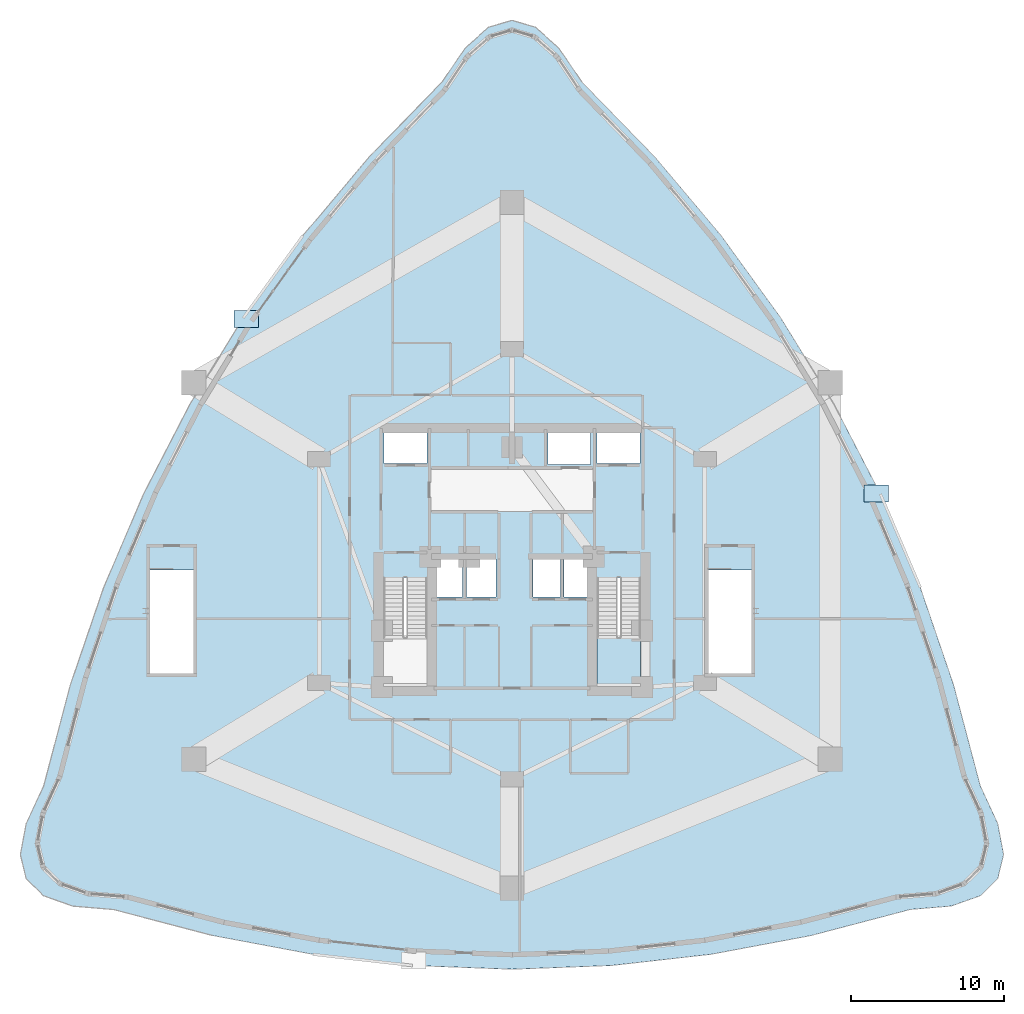
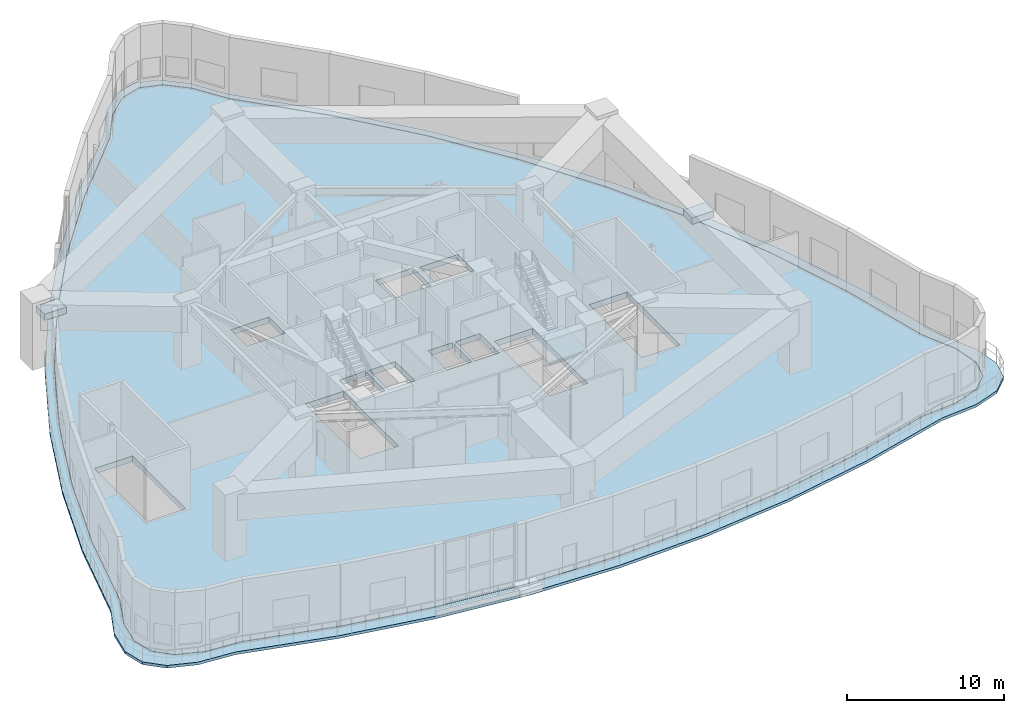
# One storey, part 10 of 19: 5 slabs, 1 element without a shape of its own.
"""IFC4 building model written with IfcOpenShell, lengths in metres."""

from ifc_helpers import new_model, si_unit, direction, frame, origin, place, context, subcontext, project, spatial, polyline, outline, extrude, material, layer, layer_set, type_object, element, aggregate, save


model = new_model("IFC4")

# Units and contexts
model_context = context("Model", 3, precision=1e-05, world=origin(), true_north=direction((0.0, 1.0)))
body_context = subcontext(model_context, "Body", "Model", "MODEL_VIEW")
ifc_project = project(units=[si_unit("LENGTHUNIT", "METRE"), si_unit("AREAUNIT", "SQUARE_METRE"), si_unit("VOLUMEUNIT", "CUBIC_METRE"), si_unit("PLANEANGLEUNIT", "RADIAN"), si_unit("MASSUNIT", "GRAM", prefix="KILO")], contexts=[model_context])

# Site, building, storey
site_placement = place(None, origin())
site = spatial("IfcSite", under=ifc_project, at=site_placement, CompositionType="ELEMENT")
building_placement = place(site_placement, origin())
building = spatial("IfcBuilding", under=site, at=building_placement, Name="Miruveldt Soraemaru", CompositionType="ELEMENT")
storey_placement = place(building_placement, frame((0.0, 0.0, 24.0)))
storey = spatial("IfcBuildingStorey", under=building, at=storey_placement, Name="L06", CompositionType="ELEMENT", Elevation=24.0)

# Stair, slab
ifc_material_1 = material(Name="Concrete C40/50 (40 MPa)", Category="concrete")
stair_type = type_object("IfcStairType", Name="STAIR-DL-520", PredefinedType="HALF_TURN_STAIR", material=ifc_material_1)
stair_placement = place(storey_placement, origin())
stair = element("IfcStair", 1, at=stair_placement, inside=storey, type_object=stair_type, Name="L06 Protected Exit Stair ST-2", PredefinedType="HALF_TURN_STAIR")
ifc_layer_1 = layer(ifc_material_1, 0.199951171875, Name="Concrete C40/50 (40 MPa)", Category="concrete")
ifc_layer_set_1 = layer_set([ifc_layer_1], Name="Concrete C40/50 (40 MPa)")
slab_type_1 = type_object("IfcSlabType", Name="SLAB-LAND-200", PredefinedType="LANDING", material=ifc_layer_set_1)
slab_1_placement = place(storey_placement, frame((0.0, 0.0, 2.39990234375)))
slab_1 = element("IfcSlab", 2, at=slab_1_placement, type_object=slab_type_1, Name="ST-2 landing 1", PredefinedType="LANDING", context=body_context, shape_type="SweptSolid", body=[
    extrude(outline(polyline([(49.550048828125, 38.798095703125), (49.550048828125, 35.64990234375), (52.39990234375, 35.64990234375), (52.39990234375, 38.798095703125), (49.550048828125, 38.798095703125)])), origin(), (0.0, 0.0, 1.0), 0.2001953125),
])
aggregate(stair, [slab_1])

# Slabs
ifc_material_2 = material(Name="Precast concrete C45/55 (45 MPa)", Category="concrete")
ifc_layer_2 = layer(ifc_material_2, 0.179931640625, Name="Precast concrete C45/55 (45 MPa)", Category="concrete")
ifc_layer_set_2 = layer_set([ifc_layer_2], Name="Precast concrete C45/55 (45 MPa)")
slab_type_2 = type_object("IfcSlabType", Name="SLAB-PLTR-180", PredefinedType="USERDEFINED", material=ifc_layer_set_2)
slab_2_placement = place(storey_placement, origin())
element("IfcSlab", 3, at=slab_2_placement, inside=storey, type_object=slab_type_2, Name="L06 Terrace Planter Bed PLANTER 1", ObjectType="PLANTER", PredefinedType="USERDEFINED", context=body_context, shape_type="SweptSolid", body=[
    extrude(outline(polyline([(25.841064453125, 59.02001953125), (27.44091796875, 59.02001953125), (27.44091796875, 60.1201171875), (25.841064453125, 60.1201171875), (25.841064453125, 59.02001953125)])), origin(), (0.0, 0.0, 1.0), 0.5),
])
slab_3_placement = place(storey_placement, origin())
element("IfcSlab", 4, at=slab_3_placement, inside=storey, type_object=slab_type_2, Name="L06 Terrace Planter Bed PLANTER 3", ObjectType="PLANTER", PredefinedType="USERDEFINED", context=body_context, shape_type="SweptSolid", body=[
    extrude(outline(polyline([(66.985107421875, 47.62890625), (68.5849609375, 47.62890625), (68.5849609375, 48.72900390625), (66.985107421875, 48.72900390625), (66.985107421875, 47.62890625)])), origin(), (0.0, 0.0, 1.0), 0.5),
])
ifc_layer_3 = layer(ifc_material_1, 0.2099609375, Name="Concrete C40/50 (40 MPa)", Category="concrete")
ifc_layer_set_3 = layer_set([ifc_layer_3], Name="Concrete C40/50 (40 MPa)")
slab_type_3 = type_object("IfcSlabType", Name="SLAB-TERR-210", PredefinedType="ROOF", material=ifc_layer_set_3)
slab_4_placement = place(storey_placement, frame((0.0, 0.0, -0.2099609375)))
element("IfcSlab", 5, at=slab_4_placement, inside=storey, type_object=slab_type_3, Name="L06 Planted Terrace Roof Slab", PredefinedType="ROOF", context=body_context, shape_type="SweptSolid", body=[
    extrude(outline(polyline([(53.33154296875, 70.14453125), (57.661376953125, 65.00830078125), (61.56005859375, 59.62841796875), (65.02783203125, 54.00439453125), (68.064697265625, 48.136474609375), (70.670654296875, 42.024658203125), (72.845703125, 35.6689453125), (74.589599609375, 29.0693359375), (75.732421875, 26.601806640625), (76.11328125, 24.5830078125), (75.732421875, 23.0126953125), (74.589599609375, 21.891357421875), (72.685302734375, 21.21826171875), (70.018798828125, 20.993896484375), (63.51416015625, 19.28662109375), (57.009521484375, 18.06689453125), (50.504638671875, 17.335205078125), (44.0, 17.09130859375), (37.495361328125, 17.335205078125), (30.990478515625, 18.06689453125), (24.48583984375, 19.28662109375), (17.981201171875, 20.993896484375), (15.314697265625, 21.21826171875), (13.410400390625, 21.891357421875), (12.267578125, 23.0126953125), (11.88671875, 24.5830078125), (12.267578125, 26.601806640625), (13.410400390625, 29.0693359375), (15.154296875, 35.6689453125), (17.329345703125, 42.024658203125), (19.935302734375, 48.136474609375), (22.97216796875, 54.00439453125), (26.43994140625, 59.62841796875), (30.338623046875, 65.00830078125), (34.66845703125, 70.14453125), (39.42919921875, 75.03662109375), (40.95263671875, 77.27978515625), (42.476318359375, 78.625732421875), (44.0, 79.07421875), (45.523681640625, 78.625732421875), (47.04736328125, 77.27978515625), (48.57080078125, 75.03662109375), (53.33154296875, 70.14453125)]), holes=[polyline([(46.95458984375, 76.697998046875), (45.481201171875, 78.01318359375), (44.00439453125, 78.45361328125), (42.524658203125, 78.016357421875), (41.0478515625, 76.700927734375), (39.574951171875, 74.51220703125), (34.965087890625, 69.735107421875), (30.773681640625, 64.720947265625), (27.002685546875, 59.47119140625), (23.65185546875, 53.98583984375), (20.72119140625, 48.264892578125), (18.210693359375, 42.30859375), (16.12060546875, 36.11669921875), (14.450927734375, 29.6904296875), (13.34814453125, 27.285888671875), (12.979248046875, 25.314208984375), (13.34716796875, 23.77685546875), (14.45458984375, 22.676025390625), (16.298828125, 22.0166015625), (18.875732421875, 21.797119140625), (25.155029296875, 20.14892578125), (31.436279296875, 18.97119140625), (37.718017578125, 18.264404296875), (43.99951171875, 18.02880859375), (50.281005859375, 18.264404296875), (56.5625, 18.970947265625), (62.843994140625, 20.148681640625), (69.124267578125, 21.797119140625), (71.697509765625, 22.015869140625), (73.539794921875, 22.672607421875), (74.648681640625, 23.76953125), (75.0205078125, 25.307861328125), (74.65283203125, 27.282470703125), (73.549072265625, 29.6904296875), (71.8798828125, 36.115478515625), (69.789794921875, 42.3076171875), (67.279296875, 48.263916015625), (64.348876953125, 53.98486328125), (60.997802734375, 59.47021484375), (57.226806640625, 64.72021484375), (53.035400390625, 69.734375), (48.425048828125, 74.51220703125), (46.95458984375, 76.697998046875)])]), origin(), (0.0, 0.0, 1.0), 0.2099609375),
])
ifc_material_3 = material(Name="Concrete C60/75 (60 MPa)", Category="concrete")
ifc_layer_4 = layer(ifc_material_3, 0.449951171875, Name="Concrete C60/75 (60 MPa)", Category="concrete")
ifc_layer_set_4 = layer_set([ifc_layer_4], Name="Concrete C60/75 (60 MPa)")
slab_type_4 = type_object("IfcSlabType", Name="SLAB-TRAN-450", PredefinedType="FLOOR", material=ifc_layer_set_4)
slab_5_placement = place(storey_placement, frame((0.0, 0.0, -0.449951171875)))
element("IfcSlab", 6, at=slab_5_placement, inside=storey, type_object=slab_type_4, Name="L06 Structural Floor Slab", PredefinedType="FLOOR", context=body_context, shape_type="SweptSolid", body=[
    extrude(outline(polyline([(53.02392578125, 69.724853515625), (57.214599609375, 64.71142578125), (60.985107421875, 59.46240234375), (64.33544921875, 53.97802734375), (67.265380859375, 48.25830078125), (69.775390625, 42.302734375), (71.865234375, 36.11181640625), (73.534912109375, 29.685302734375), (74.63818359375, 27.279541015625), (75.006103515625, 25.311279296875), (74.63818359375, 23.7802734375), (73.534912109375, 22.686767578125), (71.696044921875, 22.03076171875), (69.12158203125, 21.81201171875), (62.84130859375, 20.163330078125), (56.560791015625, 18.98583984375), (50.280517578125, 18.279296875), (44.0, 18.043701171875), (37.719482421875, 18.279296875), (31.439208984375, 18.98583984375), (25.15869140625, 20.163330078125), (18.87841796875, 21.81201171875), (16.303955078125, 22.03076171875), (14.465087890625, 22.686767578125), (13.36181640625, 23.7802734375), (12.993896484375, 25.311279296875), (13.36181640625, 27.279541015625), (14.465087890625, 29.685302734375), (16.134765625, 36.11181640625), (18.224609375, 42.302734375), (20.734619140625, 48.25830078125), (23.66455078125, 53.97802734375), (27.014892578125, 59.46240234375), (30.785400390625, 64.71142578125), (34.97607421875, 69.724853515625), (39.586669921875, 74.502685546875), (41.057861328125, 76.689697265625), (42.52880859375, 78.001953125), (44.0, 78.439208984375), (45.47119140625, 78.001953125), (46.942138671875, 76.689697265625), (48.413330078125, 74.502685546875), (53.02392578125, 69.724853515625)]), holes=[polyline([(35.614990234375, 35.6650390625), (38.43505859375, 35.6650390625), (38.43505859375, 42.68505859375), (35.614990234375, 42.68505859375), (35.614990234375, 35.6650390625)]), polyline([(20.364990234375, 36.4150390625), (23.18505859375, 36.4150390625), (23.18505859375, 43.18505859375), (20.364990234375, 43.18505859375), (20.364990234375, 36.4150390625)]), polyline([(40.764892578125, 41.4150390625), (40.764892578125, 43.885009765625), (38.81494140625, 43.885009765625), (38.81494140625, 41.4150390625), (40.764892578125, 41.4150390625)]), polyline([(41.034912109375, 41.4150390625), (42.965087890625, 41.4150390625), (42.965087890625, 43.885009765625), (41.034912109375, 43.885009765625), (41.034912109375, 41.4150390625)]), polyline([(45.364990234375, 41.4150390625), (47.1650390625, 41.4150390625), (47.1650390625, 43.885009765625), (45.364990234375, 43.885009765625), (45.364990234375, 41.4150390625)]), polyline([(38.445068359375, 50.135009765625), (38.445068359375, 52.205078125), (35.635009765625, 52.205078125), (35.635009765625, 50.135009765625), (38.445068359375, 50.135009765625)]), polyline([(49.56494140625, 42.68505859375), (49.56494140625, 35.6650390625), (52.385009765625, 35.6650390625), (52.385009765625, 42.68505859375), (49.56494140625, 42.68505859375)]), polyline([(56.81494140625, 43.18505859375), (56.81494140625, 36.4150390625), (59.635009765625, 36.4150390625), (59.635009765625, 43.18505859375), (56.81494140625, 43.18505859375)]), polyline([(49.18505859375, 41.4150390625), (49.18505859375, 43.885009765625), (47.39501953125, 43.885009765625), (47.39501953125, 41.4150390625), (49.18505859375, 41.4150390625)]), polyline([(49.554931640625, 50.135009765625), (52.364990234375, 50.135009765625), (52.364990234375, 52.205078125), (49.554931640625, 52.205078125), (49.554931640625, 50.135009765625)]), polyline([(46.364990234375, 50.06494140625), (49.135009765625, 50.06494140625), (49.135009765625, 52.3349609375), (46.364990234375, 52.3349609375), (46.364990234375, 50.06494140625)])]), origin(), (0.0, 0.0, 1.0), 0.449951171875),
])

save(model, "model.ifc")
